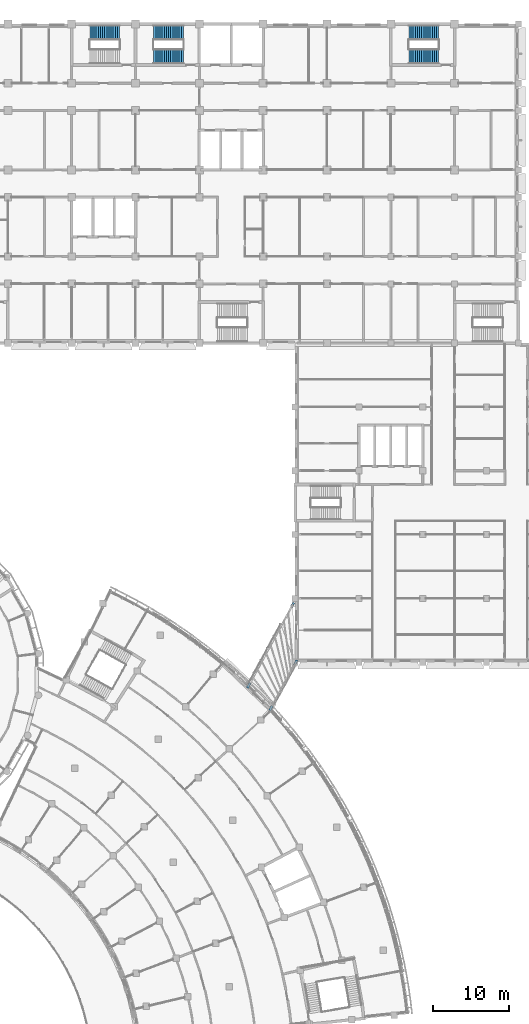
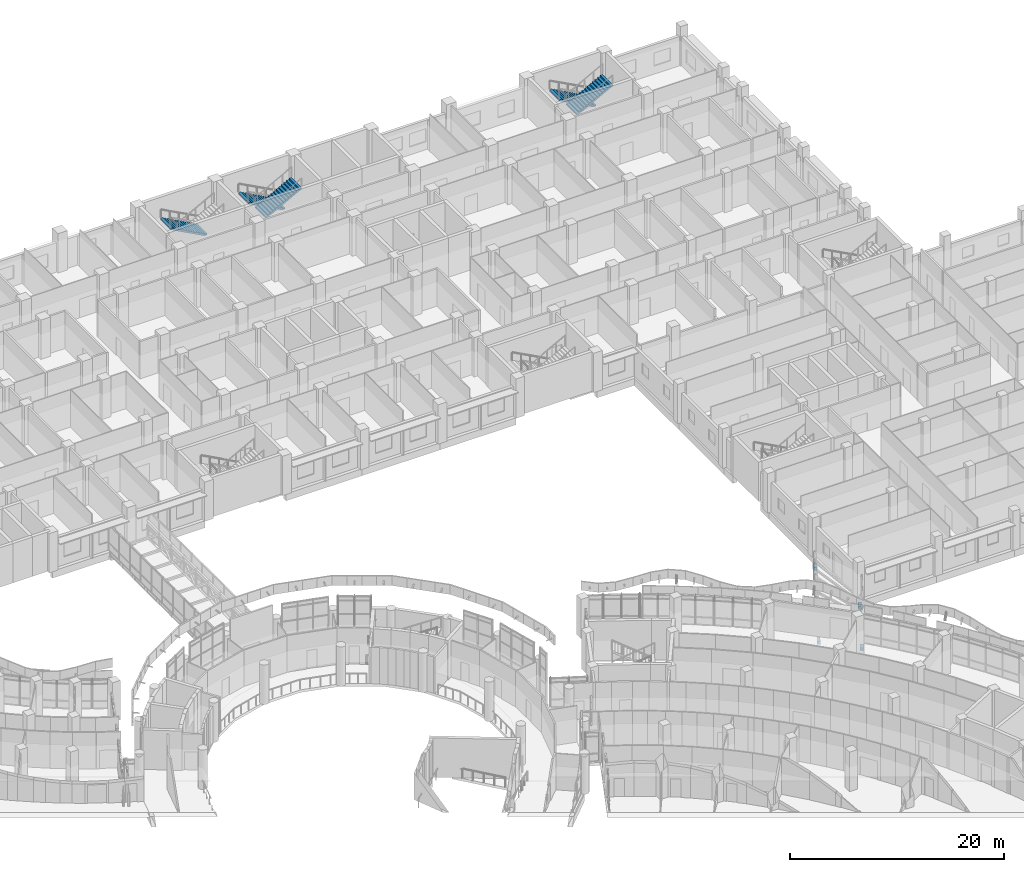
# One storey, part 98 of 136: 5 stair flights, 4 discrete accessories, 3 elements without a shape of their own.
"""IFC4 building model written with IfcOpenShell, lengths in metres."""

from ifc_helpers import new_model, si_unit, direction, frame, origin, origin_2d, place, context, subcontext, project, spatial, polyline, rectangle, outline, extrude, material, type_object, element, aggregate, save


model = new_model("IFC4")

# Units and contexts
model_context = context("Model", 3, precision=1e-05, world=origin(), true_north=direction((0.0, 1.0)))
body_context = subcontext(model_context, "Body", "Model", "MODEL_VIEW")
ifc_project = project(units=[si_unit("LENGTHUNIT", "METRE"), si_unit("AREAUNIT", "SQUARE_METRE"), si_unit("VOLUMEUNIT", "CUBIC_METRE"), si_unit("PLANEANGLEUNIT", "RADIAN"), si_unit("MASSUNIT", "GRAM", prefix="KILO")], contexts=[model_context])

# Site, building, storey
site_placement = place(None, origin())
site = spatial("IfcSite", under=ifc_project, at=site_placement, CompositionType="ELEMENT")
building_placement = place(site_placement, origin())
building = spatial("IfcBuilding", under=site, at=building_placement, Name="Bougainvillea Quay General Hospital", CompositionType="ELEMENT")
storey_placement = place(building_placement, frame((0.0, 0.0, 5.39990234375)))
storey = spatial("IfcBuildingStorey", under=building, at=storey_placement, Name="L01", CompositionType="ELEMENT", Elevation=5.39990234375)

# Stair, stair flights
ifc_material_1 = material(Name="Concrete C35", Category="concrete")
stair_type = type_object("IfcStairType", Name="Stair half-turn 1925 wide", PredefinedType="HALF_TURN_STAIR", material=ifc_material_1)
stair_1_placement = place(storey_placement, origin())
stair_1 = element("IfcStair", 1, at=stair_1_placement, inside=storey, type_object=stair_type, Name="L01 stair ST-D3", PredefinedType="HALF_TURN_STAIR")
stair_flight_type = type_object("IfcStairFlightType", Name="Stair flight 1925", PredefinedType="STRAIGHT", material=ifc_material_1)
stair_flight_1_placement = place(storey_placement, frame((149.10009765625, 158.46240234375, 0.0), z_axis=(0.0, 0.0, 1.0), x_axis=(-1.0, 0.0, 0.0)))
stair_flight_1 = element("IfcStairFlight", 2, at=stair_flight_1_placement, type_object=stair_flight_type, Name="ST-D3 flight 1", NumberOfRisers=15, NumberOfTreads=14, PredefinedType="STRAIGHT", RiserHeight=0.15, TreadLength=0.28, context=body_context, shape_type="SweptSolid", body=[
    extrude(outline(polyline([(-0.0029296875, 0.0), (-0.0029296875, 0.003662109375), (-0.0029296875, 0.00732421875), (-0.0029296875, 0.010986328125), (-0.0029296875, 0.0146484375), (-0.0029296875, 0.018310546875), (-0.0029296875, 0.02197265625), (-0.0029296875, 0.025634765625), (-0.0029296875, 0.029296875), (-0.0029296875, 0.032958984375), (-0.0029296875, 0.03662109375), (-0.0029296875, 0.040283203125), (-0.0029296875, 0.0439453125), (-0.0029296875, 0.047607421875), (-0.0029296875, 0.05126953125), (-0.0029296875, 0.054931640625), (-0.0029296875, 0.05859375), (-0.0029296875, 0.062255859375), (-0.0029296875, 0.06591796875), (-0.0029296875, 0.069580078125), (-0.0029296875, 0.0732421875), (-0.0029296875, 0.076904296875), (-0.0029296875, 0.08056640625), (-0.0029296875, 0.084228515625), (-0.0029296875, 0.087890625), (-0.0029296875, 0.091552734375), (-0.0029296875, 0.09521484375), (-0.0029296875, 0.098876953125), (-0.0029296875, 0.1025390625), (-0.0029296875, 0.106201171875), (-0.0029296875, 0.10986328125), (-0.0029296875, 0.113525390625), (-0.0029296875, 0.1171875), (-0.0029296875, 0.120849609375), (-0.0029296875, 0.12451171875), (-0.0029296875, 0.1279296875), (-0.0029296875, 0.131591796875), (-0.0029296875, 0.13525390625), (-0.0029296875, 0.138916015625), (-0.0029296875, 0.142578125), (-0.0029296875, 0.146240234375), (-0.0029296875, 0.14990234375), (0.280029296875, 0.14990234375), (0.280029296875, 0.300048828125), (0.56005859375, 0.300048828125), (0.56005859375, 0.449951171875), (0.840087890625, 0.449951171875), (0.840087890625, 0.60009765625), (1.1201171875, 0.60009765625), (1.1201171875, 0.75), (1.39990234375, 0.75), (1.39990234375, 0.89990234375), (1.679931640625, 0.89990234375), (1.679931640625, 1.050048828125), (1.9599609375, 1.050048828125), (1.9599609375, 1.199951171875), (2.239990234375, 1.199951171875), (2.239990234375, 1.35009765625), (2.52001953125, 1.35009765625), (2.52001953125, 1.5), (2.800048828125, 1.5), (2.800048828125, 1.64990234375), (3.080078125, 1.64990234375), (3.080078125, 1.800048828125), (3.360107421875, 1.800048828125), (3.360107421875, 1.949951171875), (3.639892578125, 1.949951171875), (3.639892578125, 2.10009765625), (3.923095703125, 2.10009765625), (3.923095703125, 2.095947265625), (3.923095703125, 2.091796875), (3.923095703125, 2.087646484375), (3.923095703125, 2.08349609375), (3.923095703125, 2.079345703125), (3.923095703125, 2.0751953125), (3.923095703125, 2.071044921875), (3.923095703125, 2.06689453125), (3.923095703125, 2.062744140625), (3.923095703125, 2.05859375), (3.923095703125, 2.054443359375), (3.923095703125, 2.05029296875), (3.923095703125, 2.046142578125), (3.923095703125, 2.0419921875), (3.923095703125, 2.037841796875), (3.923095703125, 2.03369140625), (3.923095703125, 2.029541015625), (3.923095703125, 2.025390625), (3.923095703125, 2.021240234375), (3.923095703125, 2.01708984375), (3.923095703125, 2.012939453125), (3.923095703125, 2.0087890625), (3.923095703125, 2.004638671875), (3.923095703125, 2.00048828125), (3.923095703125, 1.996337890625), (3.923095703125, 1.9921875), (3.923095703125, 1.988037109375), (3.923095703125, 1.98388671875), (3.923095703125, 1.979736328125), (3.923095703125, 1.9755859375), (3.923095703125, 1.971435546875), (3.923095703125, 1.96728515625), (3.923095703125, 1.963134765625), (3.923095703125, 1.958984375), (3.923095703125, 1.954833984375), (3.923095703125, 1.95068359375), (3.923095703125, 1.946533203125), (3.923095703125, 1.9423828125), (3.923095703125, 1.938232421875), (3.923095703125, 1.93408203125), (3.923095703125, 1.929931640625), (0.3173828125, 0.0), (-0.0029296875, 0.0)])), frame((0.0, 0.96240234375, 0.0), z_axis=(0.0, -1.0, 0.0), x_axis=(1.0, 0.0, 0.0)), (0.0, 0.0, 1.0), 1.925048828125),
])
stair_flight_2_placement = place(storey_placement, frame((145.179931640625, 155.33740234375, 2.25), z_axis=(0.0, 0.0, 1.0), x_axis=(1.0, 0.0, 0.0)))
stair_flight_2 = element("IfcStairFlight", 3, at=stair_flight_2_placement, type_object=stair_flight_type, Name="ST-D3 flight 2", NumberOfRisers=15, NumberOfTreads=14, PredefinedType="STRAIGHT", RiserHeight=0.15, TreadLength=0.28, context=body_context, shape_type="SweptSolid", body=[
    extrude(outline(polyline([(-0.0029296875, 0.0), (-0.0029296875, 0.003662109375), (-0.0029296875, 0.00732421875), (-0.0029296875, 0.010986328125), (-0.0029296875, 0.0146484375), (-0.0029296875, 0.018310546875), (-0.0029296875, 0.02197265625), (-0.0029296875, 0.025634765625), (-0.0029296875, 0.029296875), (-0.0029296875, 0.032958984375), (-0.0029296875, 0.03662109375), (-0.0029296875, 0.040283203125), (-0.0029296875, 0.0439453125), (-0.0029296875, 0.047607421875), (-0.0029296875, 0.05126953125), (-0.0029296875, 0.054931640625), (-0.0029296875, 0.05859375), (-0.0029296875, 0.062255859375), (-0.0029296875, 0.06591796875), (-0.0029296875, 0.069580078125), (-0.0029296875, 0.0732421875), (-0.0029296875, 0.076904296875), (-0.0029296875, 0.08056640625), (-0.0029296875, 0.084228515625), (-0.0029296875, 0.087890625), (-0.0029296875, 0.091552734375), (-0.0029296875, 0.09521484375), (-0.0029296875, 0.098876953125), (-0.0029296875, 0.1025390625), (-0.0029296875, 0.106201171875), (-0.0029296875, 0.10986328125), (-0.0029296875, 0.113525390625), (-0.0029296875, 0.1171875), (-0.0029296875, 0.120849609375), (-0.0029296875, 0.12451171875), (-0.0029296875, 0.1279296875), (-0.0029296875, 0.131591796875), (-0.0029296875, 0.13525390625), (-0.0029296875, 0.138916015625), (-0.0029296875, 0.142578125), (-0.0029296875, 0.146240234375), (-0.0029296875, 0.14990234375), (0.280029296875, 0.14990234375), (0.280029296875, 0.300048828125), (0.56005859375, 0.300048828125), (0.56005859375, 0.449951171875), (0.840087890625, 0.449951171875), (0.840087890625, 0.60009765625), (1.1201171875, 0.60009765625), (1.1201171875, 0.75), (1.39990234375, 0.75), (1.39990234375, 0.89990234375), (1.679931640625, 0.89990234375), (1.679931640625, 1.050048828125), (1.9599609375, 1.050048828125), (1.9599609375, 1.199951171875), (2.239990234375, 1.199951171875), (2.239990234375, 1.35009765625), (2.52001953125, 1.35009765625), (2.52001953125, 1.5), (2.800048828125, 1.5), (2.800048828125, 1.64990234375), (3.080078125, 1.64990234375), (3.080078125, 1.800048828125), (3.360107421875, 1.800048828125), (3.360107421875, 1.949951171875), (3.639892578125, 1.949951171875), (3.639892578125, 2.10009765625), (3.923095703125, 2.10009765625), (3.923095703125, 2.095947265625), (3.923095703125, 2.091796875), (3.923095703125, 2.087646484375), (3.923095703125, 2.08349609375), (3.923095703125, 2.079345703125), (3.923095703125, 2.0751953125), (3.923095703125, 2.071044921875), (3.923095703125, 2.06689453125), (3.923095703125, 2.062744140625), (3.923095703125, 2.05859375), (3.923095703125, 2.054443359375), (3.923095703125, 2.05029296875), (3.923095703125, 2.046142578125), (3.923095703125, 2.0419921875), (3.923095703125, 2.037841796875), (3.923095703125, 2.03369140625), (3.923095703125, 2.029541015625), (3.923095703125, 2.025390625), (3.923095703125, 2.021240234375), (3.923095703125, 2.01708984375), (3.923095703125, 2.012939453125), (3.923095703125, 2.0087890625), (3.923095703125, 2.004638671875), (3.923095703125, 2.00048828125), (3.923095703125, 1.996337890625), (3.923095703125, 1.9921875), (3.923095703125, 1.988037109375), (3.923095703125, 1.98388671875), (3.923095703125, 1.979736328125), (3.923095703125, 1.9755859375), (3.923095703125, 1.971435546875), (3.923095703125, 1.96728515625), (3.923095703125, 1.963134765625), (3.923095703125, 1.958984375), (3.923095703125, 1.954833984375), (3.923095703125, 1.95068359375), (3.923095703125, 1.946533203125), (3.923095703125, 1.9423828125), (3.923095703125, 1.938232421875), (3.923095703125, 1.93408203125), (3.923095703125, 1.929931640625), (0.3173828125, 0.0), (-0.0029296875, 0.0)])), frame((0.0, 0.96240234375, 0.0), z_axis=(0.0, -1.0, 0.0), x_axis=(1.0, 0.0, 0.0)), (0.0, 0.0, 1.0), 1.925048828125),
])
aggregate(stair_1, [stair_flight_1, stair_flight_2])

# Stair, stair flight
stair_2_placement = place(storey_placement, origin())
stair_2 = element("IfcStair", 4, at=stair_2_placement, inside=storey, type_object=stair_type, Name="L01 stair ST-A3", PredefinedType="HALF_TURN_STAIR")
stair_flight_3_placement = place(storey_placement, frame((140.699951171875, 158.46240234375, 0.0), z_axis=(0.0, 0.0, 1.0), x_axis=(-1.0, 0.0, 0.0)))
stair_flight_3 = element("IfcStairFlight", 5, at=stair_flight_3_placement, type_object=stair_flight_type, Name="ST-A3 flight 1", NumberOfRisers=15, NumberOfTreads=14, PredefinedType="STRAIGHT", RiserHeight=0.15, TreadLength=0.28, context=body_context, shape_type="SweptSolid", body=[
    extrude(outline(polyline([(-0.0029296875, 0.0), (-0.0029296875, 0.003662109375), (-0.0029296875, 0.00732421875), (-0.0029296875, 0.010986328125), (-0.0029296875, 0.0146484375), (-0.0029296875, 0.018310546875), (-0.0029296875, 0.02197265625), (-0.0029296875, 0.025634765625), (-0.0029296875, 0.029296875), (-0.0029296875, 0.032958984375), (-0.0029296875, 0.03662109375), (-0.0029296875, 0.040283203125), (-0.0029296875, 0.0439453125), (-0.0029296875, 0.047607421875), (-0.0029296875, 0.05126953125), (-0.0029296875, 0.054931640625), (-0.0029296875, 0.05859375), (-0.0029296875, 0.062255859375), (-0.0029296875, 0.06591796875), (-0.0029296875, 0.069580078125), (-0.0029296875, 0.0732421875), (-0.0029296875, 0.076904296875), (-0.0029296875, 0.08056640625), (-0.0029296875, 0.084228515625), (-0.0029296875, 0.087890625), (-0.0029296875, 0.091552734375), (-0.0029296875, 0.09521484375), (-0.0029296875, 0.098876953125), (-0.0029296875, 0.1025390625), (-0.0029296875, 0.106201171875), (-0.0029296875, 0.10986328125), (-0.0029296875, 0.113525390625), (-0.0029296875, 0.1171875), (-0.0029296875, 0.120849609375), (-0.0029296875, 0.12451171875), (-0.0029296875, 0.1279296875), (-0.0029296875, 0.131591796875), (-0.0029296875, 0.13525390625), (-0.0029296875, 0.138916015625), (-0.0029296875, 0.142578125), (-0.0029296875, 0.146240234375), (-0.0029296875, 0.14990234375), (0.280029296875, 0.14990234375), (0.280029296875, 0.300048828125), (0.56005859375, 0.300048828125), (0.56005859375, 0.449951171875), (0.840087890625, 0.449951171875), (0.840087890625, 0.60009765625), (1.1201171875, 0.60009765625), (1.1201171875, 0.75), (1.39990234375, 0.75), (1.39990234375, 0.89990234375), (1.679931640625, 0.89990234375), (1.679931640625, 1.050048828125), (1.9599609375, 1.050048828125), (1.9599609375, 1.199951171875), (2.239990234375, 1.199951171875), (2.239990234375, 1.35009765625), (2.52001953125, 1.35009765625), (2.52001953125, 1.5), (2.800048828125, 1.5), (2.800048828125, 1.64990234375), (3.080078125, 1.64990234375), (3.080078125, 1.800048828125), (3.360107421875, 1.800048828125), (3.360107421875, 1.949951171875), (3.639892578125, 1.949951171875), (3.639892578125, 2.10009765625), (3.923095703125, 2.10009765625), (3.923095703125, 2.095947265625), (3.923095703125, 2.091796875), (3.923095703125, 2.087646484375), (3.923095703125, 2.08349609375), (3.923095703125, 2.079345703125), (3.923095703125, 2.0751953125), (3.923095703125, 2.071044921875), (3.923095703125, 2.06689453125), (3.923095703125, 2.062744140625), (3.923095703125, 2.05859375), (3.923095703125, 2.054443359375), (3.923095703125, 2.05029296875), (3.923095703125, 2.046142578125), (3.923095703125, 2.0419921875), (3.923095703125, 2.037841796875), (3.923095703125, 2.03369140625), (3.923095703125, 2.029541015625), (3.923095703125, 2.025390625), (3.923095703125, 2.021240234375), (3.923095703125, 2.01708984375), (3.923095703125, 2.012939453125), (3.923095703125, 2.0087890625), (3.923095703125, 2.004638671875), (3.923095703125, 2.00048828125), (3.923095703125, 1.996337890625), (3.923095703125, 1.9921875), (3.923095703125, 1.988037109375), (3.923095703125, 1.98388671875), (3.923095703125, 1.979736328125), (3.923095703125, 1.9755859375), (3.923095703125, 1.971435546875), (3.923095703125, 1.96728515625), (3.923095703125, 1.963134765625), (3.923095703125, 1.958984375), (3.923095703125, 1.954833984375), (3.923095703125, 1.95068359375), (3.923095703125, 1.946533203125), (3.923095703125, 1.9423828125), (3.923095703125, 1.938232421875), (3.923095703125, 1.93408203125), (3.923095703125, 1.929931640625), (0.3173828125, 0.0), (-0.0029296875, 0.0)])), frame((0.0, 0.96240234375, 0.0), z_axis=(0.0, -1.0, 0.0), x_axis=(1.0, 0.0, 0.0)), (0.0, 0.0, 1.0), 1.925048828125),
])
aggregate(stair_2, [stair_flight_3])

# Stair, stair flights
stair_3_placement = place(storey_placement, origin())
stair_3 = element("IfcStair", 6, at=stair_3_placement, inside=storey, type_object=stair_type, Name="L01 stair ST-A4", PredefinedType="HALF_TURN_STAIR")
stair_flight_4_placement = place(storey_placement, frame((182.699951171875, 158.46240234375, 0.0), z_axis=(0.0, 0.0, 1.0), x_axis=(-1.0, 0.0, 0.0)))
stair_flight_4 = element("IfcStairFlight", 7, at=stair_flight_4_placement, type_object=stair_flight_type, Name="ST-A4 flight 1", NumberOfRisers=15, NumberOfTreads=14, PredefinedType="STRAIGHT", RiserHeight=0.15, TreadLength=0.28, context=body_context, shape_type="SweptSolid", body=[
    extrude(outline(polyline([(-0.0029296875, 0.0), (-0.0029296875, 0.003662109375), (-0.0029296875, 0.00732421875), (-0.0029296875, 0.010986328125), (-0.0029296875, 0.0146484375), (-0.0029296875, 0.018310546875), (-0.0029296875, 0.02197265625), (-0.0029296875, 0.025634765625), (-0.0029296875, 0.029296875), (-0.0029296875, 0.032958984375), (-0.0029296875, 0.03662109375), (-0.0029296875, 0.040283203125), (-0.0029296875, 0.0439453125), (-0.0029296875, 0.047607421875), (-0.0029296875, 0.05126953125), (-0.0029296875, 0.054931640625), (-0.0029296875, 0.05859375), (-0.0029296875, 0.062255859375), (-0.0029296875, 0.06591796875), (-0.0029296875, 0.069580078125), (-0.0029296875, 0.0732421875), (-0.0029296875, 0.076904296875), (-0.0029296875, 0.08056640625), (-0.0029296875, 0.084228515625), (-0.0029296875, 0.087890625), (-0.0029296875, 0.091552734375), (-0.0029296875, 0.09521484375), (-0.0029296875, 0.098876953125), (-0.0029296875, 0.1025390625), (-0.0029296875, 0.106201171875), (-0.0029296875, 0.10986328125), (-0.0029296875, 0.113525390625), (-0.0029296875, 0.1171875), (-0.0029296875, 0.120849609375), (-0.0029296875, 0.12451171875), (-0.0029296875, 0.1279296875), (-0.0029296875, 0.131591796875), (-0.0029296875, 0.13525390625), (-0.0029296875, 0.138916015625), (-0.0029296875, 0.142578125), (-0.0029296875, 0.146240234375), (-0.0029296875, 0.14990234375), (0.280029296875, 0.14990234375), (0.280029296875, 0.300048828125), (0.56005859375, 0.300048828125), (0.56005859375, 0.449951171875), (0.840087890625, 0.449951171875), (0.840087890625, 0.60009765625), (1.1201171875, 0.60009765625), (1.1201171875, 0.75), (1.39990234375, 0.75), (1.39990234375, 0.89990234375), (1.679931640625, 0.89990234375), (1.679931640625, 1.050048828125), (1.9599609375, 1.050048828125), (1.9599609375, 1.199951171875), (2.239990234375, 1.199951171875), (2.239990234375, 1.35009765625), (2.52001953125, 1.35009765625), (2.52001953125, 1.5), (2.800048828125, 1.5), (2.800048828125, 1.64990234375), (3.080078125, 1.64990234375), (3.080078125, 1.800048828125), (3.360107421875, 1.800048828125), (3.360107421875, 1.949951171875), (3.639892578125, 1.949951171875), (3.639892578125, 2.10009765625), (3.923095703125, 2.10009765625), (3.923095703125, 2.095947265625), (3.923095703125, 2.091796875), (3.923095703125, 2.087646484375), (3.923095703125, 2.08349609375), (3.923095703125, 2.079345703125), (3.923095703125, 2.0751953125), (3.923095703125, 2.071044921875), (3.923095703125, 2.06689453125), (3.923095703125, 2.062744140625), (3.923095703125, 2.05859375), (3.923095703125, 2.054443359375), (3.923095703125, 2.05029296875), (3.923095703125, 2.046142578125), (3.923095703125, 2.0419921875), (3.923095703125, 2.037841796875), (3.923095703125, 2.03369140625), (3.923095703125, 2.029541015625), (3.923095703125, 2.025390625), (3.923095703125, 2.021240234375), (3.923095703125, 2.01708984375), (3.923095703125, 2.012939453125), (3.923095703125, 2.0087890625), (3.923095703125, 2.004638671875), (3.923095703125, 2.00048828125), (3.923095703125, 1.996337890625), (3.923095703125, 1.9921875), (3.923095703125, 1.988037109375), (3.923095703125, 1.98388671875), (3.923095703125, 1.979736328125), (3.923095703125, 1.9755859375), (3.923095703125, 1.971435546875), (3.923095703125, 1.96728515625), (3.923095703125, 1.963134765625), (3.923095703125, 1.958984375), (3.923095703125, 1.954833984375), (3.923095703125, 1.95068359375), (3.923095703125, 1.946533203125), (3.923095703125, 1.9423828125), (3.923095703125, 1.938232421875), (3.923095703125, 1.93408203125), (3.923095703125, 1.929931640625), (0.3173828125, 0.0), (-0.0029296875, 0.0)])), frame((0.0, 0.96240234375, 0.0), z_axis=(0.0, -1.0, 0.0), x_axis=(1.0, 0.0, 0.0)), (0.0, 0.0, 1.0), 1.925048828125),
])
stair_flight_5_placement = place(storey_placement, frame((178.780029296875, 155.33740234375, 2.25), z_axis=(0.0, 0.0, 1.0), x_axis=(1.0, 0.0, 0.0)))
stair_flight_5 = element("IfcStairFlight", 8, at=stair_flight_5_placement, type_object=stair_flight_type, Name="ST-A4 flight 2", NumberOfRisers=15, NumberOfTreads=14, PredefinedType="STRAIGHT", RiserHeight=0.15, TreadLength=0.28, context=body_context, shape_type="SweptSolid", body=[
    extrude(outline(polyline([(-0.0029296875, 0.0), (-0.0029296875, 0.003662109375), (-0.0029296875, 0.00732421875), (-0.0029296875, 0.010986328125), (-0.0029296875, 0.0146484375), (-0.0029296875, 0.018310546875), (-0.0029296875, 0.02197265625), (-0.0029296875, 0.025634765625), (-0.0029296875, 0.029296875), (-0.0029296875, 0.032958984375), (-0.0029296875, 0.03662109375), (-0.0029296875, 0.040283203125), (-0.0029296875, 0.0439453125), (-0.0029296875, 0.047607421875), (-0.0029296875, 0.05126953125), (-0.0029296875, 0.054931640625), (-0.0029296875, 0.05859375), (-0.0029296875, 0.062255859375), (-0.0029296875, 0.06591796875), (-0.0029296875, 0.069580078125), (-0.0029296875, 0.0732421875), (-0.0029296875, 0.076904296875), (-0.0029296875, 0.08056640625), (-0.0029296875, 0.084228515625), (-0.0029296875, 0.087890625), (-0.0029296875, 0.091552734375), (-0.0029296875, 0.09521484375), (-0.0029296875, 0.098876953125), (-0.0029296875, 0.1025390625), (-0.0029296875, 0.106201171875), (-0.0029296875, 0.10986328125), (-0.0029296875, 0.113525390625), (-0.0029296875, 0.1171875), (-0.0029296875, 0.120849609375), (-0.0029296875, 0.12451171875), (-0.0029296875, 0.1279296875), (-0.0029296875, 0.131591796875), (-0.0029296875, 0.13525390625), (-0.0029296875, 0.138916015625), (-0.0029296875, 0.142578125), (-0.0029296875, 0.146240234375), (-0.0029296875, 0.14990234375), (0.280029296875, 0.14990234375), (0.280029296875, 0.300048828125), (0.56005859375, 0.300048828125), (0.56005859375, 0.449951171875), (0.840087890625, 0.449951171875), (0.840087890625, 0.60009765625), (1.1201171875, 0.60009765625), (1.1201171875, 0.75), (1.39990234375, 0.75), (1.39990234375, 0.89990234375), (1.679931640625, 0.89990234375), (1.679931640625, 1.050048828125), (1.9599609375, 1.050048828125), (1.9599609375, 1.199951171875), (2.239990234375, 1.199951171875), (2.239990234375, 1.35009765625), (2.52001953125, 1.35009765625), (2.52001953125, 1.5), (2.800048828125, 1.5), (2.800048828125, 1.64990234375), (3.080078125, 1.64990234375), (3.080078125, 1.800048828125), (3.360107421875, 1.800048828125), (3.360107421875, 1.949951171875), (3.639892578125, 1.949951171875), (3.639892578125, 2.10009765625), (3.923095703125, 2.10009765625), (3.923095703125, 2.095947265625), (3.923095703125, 2.091796875), (3.923095703125, 2.087646484375), (3.923095703125, 2.08349609375), (3.923095703125, 2.079345703125), (3.923095703125, 2.0751953125), (3.923095703125, 2.071044921875), (3.923095703125, 2.06689453125), (3.923095703125, 2.062744140625), (3.923095703125, 2.05859375), (3.923095703125, 2.054443359375), (3.923095703125, 2.05029296875), (3.923095703125, 2.046142578125), (3.923095703125, 2.0419921875), (3.923095703125, 2.037841796875), (3.923095703125, 2.03369140625), (3.923095703125, 2.029541015625), (3.923095703125, 2.025390625), (3.923095703125, 2.021240234375), (3.923095703125, 2.01708984375), (3.923095703125, 2.012939453125), (3.923095703125, 2.0087890625), (3.923095703125, 2.004638671875), (3.923095703125, 2.00048828125), (3.923095703125, 1.996337890625), (3.923095703125, 1.9921875), (3.923095703125, 1.988037109375), (3.923095703125, 1.98388671875), (3.923095703125, 1.979736328125), (3.923095703125, 1.9755859375), (3.923095703125, 1.971435546875), (3.923095703125, 1.96728515625), (3.923095703125, 1.963134765625), (3.923095703125, 1.958984375), (3.923095703125, 1.954833984375), (3.923095703125, 1.95068359375), (3.923095703125, 1.946533203125), (3.923095703125, 1.9423828125), (3.923095703125, 1.938232421875), (3.923095703125, 1.93408203125), (3.923095703125, 1.929931640625), (0.3173828125, 0.0), (-0.0029296875, 0.0)])), frame((0.0, 0.96240234375, 0.0), z_axis=(0.0, -1.0, 0.0), x_axis=(1.0, 0.0, 0.0)), (0.0, 0.0, 1.0), 1.925048828125),
])
aggregate(stair_3, [stair_flight_4, stair_flight_5])

# Discrete accessories
ifc_material_2 = material(Name="Concrete C40", Category="concrete")
discrete_accessory_type = type_object("IfcDiscreteAccessoryType", Name="RC SEAT CORBEL 400x300x350", PredefinedType="BRACKET", material=ifc_material_2)
for number, where, z_axis, x_axis, name in (
    (9, (157.692138671875, 72.539306640625, -0.93994140625), (0.0, 0.0, 1.0), (0.477017642189, 0.878893718854, 0.0), "Bridge seat corbel"),
    (10, (163.449462890625, 83.146728515625, -0.93994140625), (0.0, 0.0, 1.0), (-0.477017642189, -0.878893718854, 0.0), "Bridge seat corbel"),
    (11, (160.623291015625, 69.55419921875, -0.93994140625), (0.0, 0.0, 1.0), (0.477017642189, 0.878893718854, 0.0), "Bridge seat corbel"),
    (12, (163.880615234375, 75.55615234375, -0.93994140625), (0.0, 0.0, 1.0), (-0.477017642189, -0.878893718854, 0.0), "Bridge seat corbel"),
):
    element("IfcDiscreteAccessory", number, at=place(storey_placement, frame(where, z_axis=z_axis, x_axis=x_axis)), inside=storey, type_object=discrete_accessory_type, Name=name, PredefinedType="BRACKET", context=body_context, shape_type="SweptSolid", body=[
        extrude(rectangle(XDim=0.699951171875, YDim=0.300048828125, at=origin_2d()), origin(), (0.0, 0.0, 1.0), 0.35009765625),
    ])

save(model, "model.ifc")
